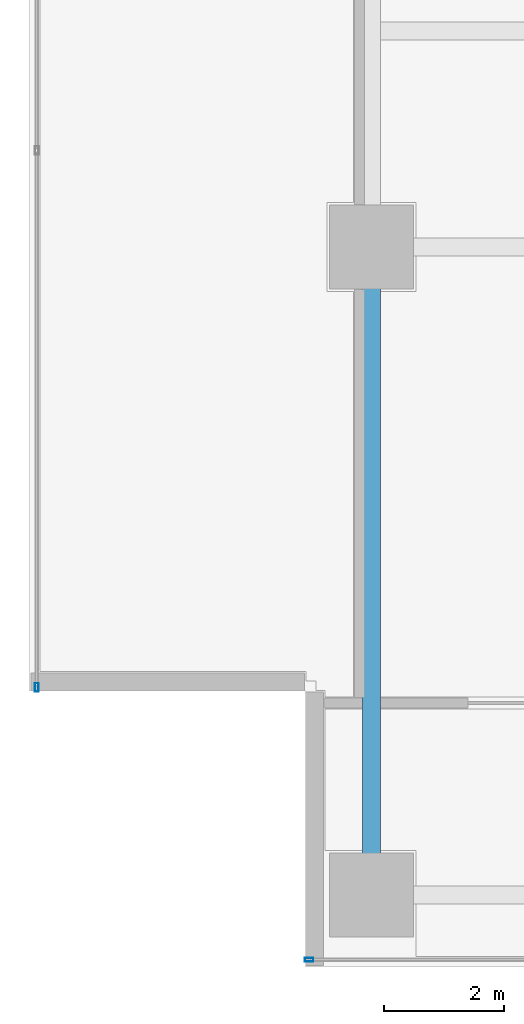
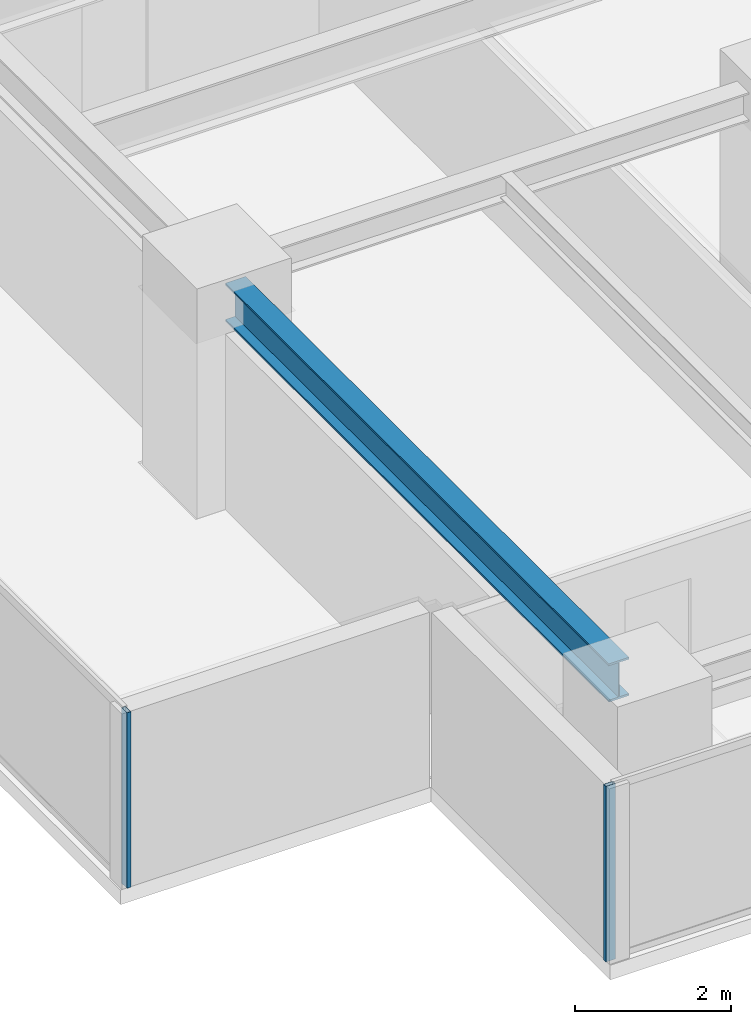
# One storey, part 2 of 27: 2 members, 1 beam, 2 elements without a shape of their own.
"""IFC4 building model written with IfcOpenShell, lengths in metres."""

from ifc_helpers import new_model, si_unit, direction, frame, origin, origin_2d, place, context, subcontext, project, spatial, hollow_rectangle, i_section, extrude, source, transform, mapped, material, layer, layer_set, material_profile, profile_set, type_object, element, aggregate, save


model = new_model("IFC4")

# Units and contexts
model_context = context("Model", 3, precision=1e-05, world=origin(), true_north=direction((0.0, 1.0)))
body_context = subcontext(model_context, "Body", "Model", "MODEL_VIEW")
ifc_project = project(units=[si_unit("LENGTHUNIT", "METRE"), si_unit("AREAUNIT", "SQUARE_METRE"), si_unit("VOLUMEUNIT", "CUBIC_METRE"), si_unit("PLANEANGLEUNIT", "RADIAN"), si_unit("MASSUNIT", "GRAM", prefix="KILO")], contexts=[model_context])

# Site, building, storey
site_placement = place(None, origin())
site = spatial("IfcSite", under=ifc_project, at=site_placement, CompositionType="ELEMENT")
building_placement = place(site_placement, origin())
building = spatial("IfcBuilding", under=site, at=building_placement, Name="Sumidabori Civic Tower", CompositionType="ELEMENT")
storey_placement = place(building_placement, frame((0.0, 0.0, 257.60009765625)))
storey = spatial("IfcBuildingStorey", under=building, at=storey_placement, Name="L67", CompositionType="ELEMENT", Elevation=257.60009765625)

# Beam
ifc_material_1 = material(Name="Steel SN490", Category="steel")
ifc_material_profile_1 = material_profile(ifc_material_1, i_section(OverallWidth=0.300048828125, OverallDepth=0.60009765625, WebThickness=0.015380859375, FlangeThickness=0.030029296875, at=origin_2d()), Name="HE 600 B")
ifc_profile_set_1 = profile_set([ifc_material_profile_1], Name="Steel SN490")
beam_type = type_object("IfcBeamType", Name="BM-GIRD-600", PredefinedType="BEAM", material=ifc_profile_set_1)
shared_shape_1 = source(origin(), body_context, "Body", "SweptSolid", [
    extrude(i_section(OverallWidth=0.300048828125, OverallDepth=0.60009765625, WebThickness=0.015380859375, FlangeThickness=0.030029296875, at=origin_2d()), origin(), (0.0, 0.0, 1.0), 9.840087890625),
])
beam_placement = place(storey_placement, frame((-16.800048828125, -10.320068359375, 3.06982421875), z_axis=(0.0, 1.0, 0.0), x_axis=(-1.0, 0.0, 0.0)))
element("IfcBeam", 1, at=beam_placement, inside=storey, type_object=beam_type, Name="Primary Girder L67 GY-09", PredefinedType="BEAM", context=body_context, shape_type="MappedRepresentation", body=[
    mapped(shared_shape_1, transform((0.0, 0.0, 0.0), x_axis=(1.0, 0.0, 0.0), y_axis=(0.0, 1.0, 0.0), z_axis=(0.0, 0.0, 1.0), scale=1.0)),
])

# Curtain wall, member
ifc_material_2 = material(Name="Anodised Bronze Aluminium AW-6063-T6", Category="aluminium")
ifc_layer = layer(ifc_material_2, 0.179931640625, Name="Anodised Bronze Aluminium AW-6063-T6")
ifc_layer_set = layer_set([ifc_layer], Name="Anodised Bronze Aluminium AW-6063-T6")
curtain_wall_type = type_object("IfcCurtainWallType", Name="CW-SYS-5", PredefinedType="NOTDEFINED", material=ifc_layer_set)
curtain_wall_1_placement = place(storey_placement, origin())
curtain_wall_1 = element("IfcCurtainWall", 2, at=curtain_wall_1_placement, inside=storey, type_object=curtain_wall_type, Name="Curtain Wall CW:L67:R01", PredefinedType="NOTDEFINED")
ifc_material_profile_2 = material_profile(ifc_material_2, hollow_rectangle(XDim=0.06005859375, YDim=0.139892578125, WallThickness=0.0048828125, at=origin_2d()), Name="ALU MULLION 140x60")
ifc_profile_set_2 = profile_set([ifc_material_profile_2], Name="Anodised Bronze Aluminium AW-6063-T6")
member_type = type_object("IfcMemberType", Name="CW-MUL-140", PredefinedType="MULLION", material=ifc_profile_set_2)
shared_shape_2 = source(origin(), body_context, "Body", "SweptSolid", [
    extrude(hollow_rectangle(XDim=0.06005859375, YDim=0.139892578125, WallThickness=0.0048828125, at=origin_2d()), origin(), (0.0, 0.0, 1.0), 2.75),
])
member_1_placement = place(storey_placement, frame((-17.840087890625, -11.8798828125, 0.0), z_axis=(0.0, 0.0, 1.0), x_axis=(0.0, 1.0, 0.0)))
member_1 = element("IfcMember", 3, at=member_1_placement, type_object=member_type, Name="CW-5 mullion 1", PredefinedType="MULLION", context=body_context, shape_type="MappedRepresentation", body=[
    mapped(shared_shape_2, transform((0.0, 0.0, 0.0), x_axis=(1.0, 0.0, 0.0), y_axis=(0.0, 1.0, 0.0), z_axis=(0.0, 0.0, 1.0), scale=1.0)),
])
aggregate(curtain_wall_1, [member_1])

curtain_wall_2_placement = place(storey_placement, origin())
curtain_wall_2 = element("IfcCurtainWall", 4, at=curtain_wall_2_placement, inside=storey, type_object=curtain_wall_type, Name="Curtain Wall CW:L67:R10", PredefinedType="NOTDEFINED")
member_2_placement = place(storey_placement, frame((-22.3798828125, -7.340087890625, 0.0), z_axis=(0.0, 0.0, 1.0), x_axis=(1.0, 0.0, 0.0)))
member_2 = element("IfcMember", 5, at=member_2_placement, type_object=member_type, Name="CW-5 mullion 4", PredefinedType="MULLION", context=body_context, shape_type="MappedRepresentation", body=[
    mapped(shared_shape_2, transform((0.0, 0.0, 0.0), x_axis=(1.0, 0.0, 0.0), y_axis=(0.0, 1.0, 0.0), z_axis=(0.0, 0.0, 1.0), scale=1.0)),
])
aggregate(curtain_wall_2, [member_2])

save(model, "model.ifc")
